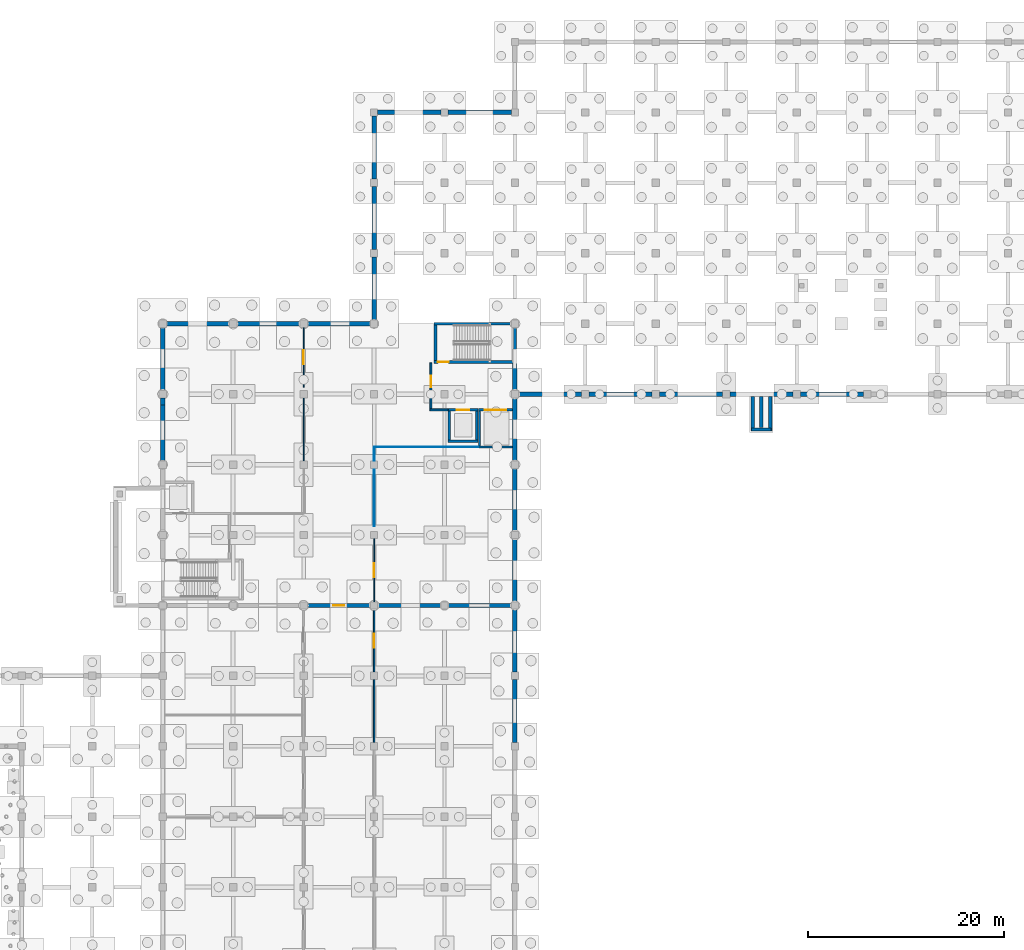
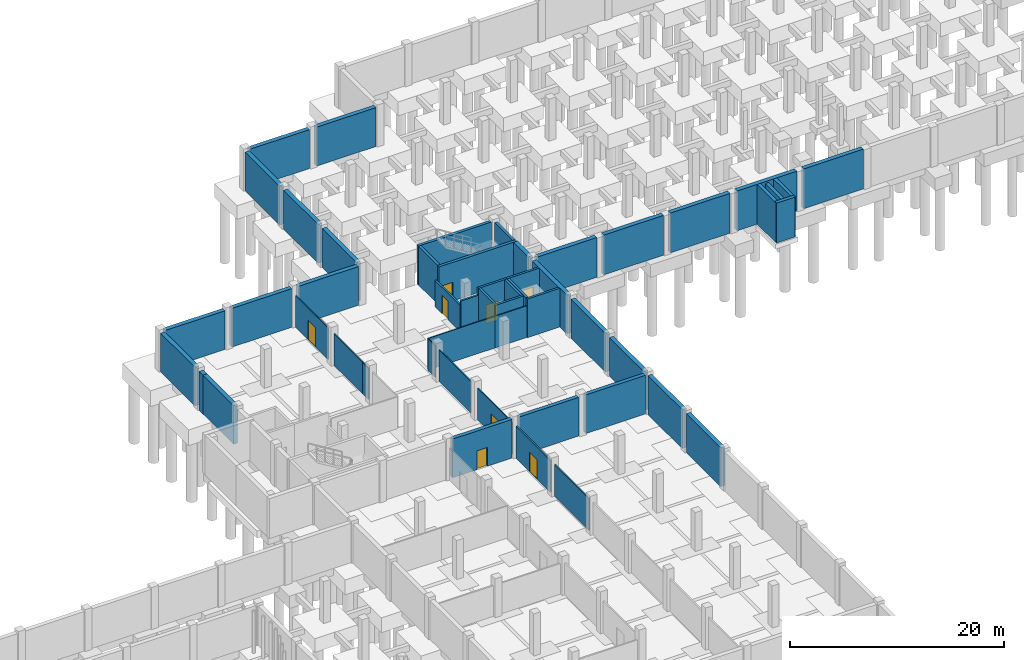
# One storey, part 28 of 35: 52 walls, 8 doors, 8 openings.
"""IFC4 building model written with IfcOpenShell, lengths in metres."""

from ifc_helpers import new_model, si_unit, direction, frame, frame_2d, origin, place, context, subcontext, project, spatial, rectangle, extrude, material, layer, layer_set, type_object, element, fill, save


model = new_model("IFC4")

# Units and contexts
model_context = context("Model", 3, precision=1e-05, world=origin(), true_north=direction((0.0, 1.0)))
body_context = subcontext(model_context, "Body", "Model", "MODEL_VIEW")
ifc_project = project(units=[si_unit("LENGTHUNIT", "METRE"), si_unit("AREAUNIT", "SQUARE_METRE"), si_unit("VOLUMEUNIT", "CUBIC_METRE"), si_unit("PLANEANGLEUNIT", "RADIAN"), si_unit("MASSUNIT", "GRAM", prefix="KILO"), si_unit("THERMODYNAMICTEMPERATUREUNIT", "KELVIN"), si_unit("POWERUNIT", "WATT")], contexts=[model_context])

# Site, building, storey
site_placement = place(None, origin())
site = spatial("IfcSite", under=ifc_project, at=site_placement, CompositionType="ELEMENT")
building_placement = place(site_placement, origin())
building = spatial("IfcBuilding", under=site, at=building_placement, Name="Kaldorven Railside Theatre", CompositionType="ELEMENT")
storey_placement = place(building_placement, frame((0.0, 0.0, -4.800048828125)))
storey = spatial("IfcBuildingStorey", under=building, at=storey_placement, Name="B1", CompositionType="ELEMENT", Elevation=-4.800048828125)

# Walls
ifc_material_1 = material(Name="Concrete C40/50", Category="concrete")
ifc_layer_1 = layer(ifc_material_1, 0.449951171875, Name="Concrete C40/50")
ifc_layer_set_1 = layer_set([ifc_layer_1], Name="Concrete C40/50")
wall_type_1 = type_object("IfcWallType", Name="WL-EW01", PredefinedType="SHEAR", material=ifc_layer_set_1)
wall_1_placement = place(storey_placement, frame((87.199951171875, 98.77490234375, 0.0), z_axis=(0.0, 0.0, 1.0), x_axis=(0.0, 1.0, 0.0)))
element("IfcWall", 1, at=wall_1_placement, inside=storey, type_object=wall_type_1, Name="Basement Plinth Retaining Wall EW-0026", PredefinedType="SHEAR", context=body_context, shape_type="SweptSolid", body=[
    extrude(rectangle(XDim=5.737548828125, YDim=0.449951171875, at=frame_2d((2.86865234375, 0.0))), origin(), (0.0, 0.0, 1.0), 4.420166015625),
])
wall_2_placement = place(storey_placement, frame((87.199951171875, 104.512451171875, 0.0), z_axis=(0.0, 0.0, 1.0), x_axis=(0.0, 1.0, 0.0)))
element("IfcWall", 2, at=wall_2_placement, inside=storey, type_object=wall_type_1, Name="Basement Plinth Retaining Wall EW-0027", PredefinedType="SHEAR", context=body_context, shape_type="SweptSolid", body=[
    extrude(rectangle(XDim=0.712646484375, YDim=0.449951171875, at=frame_2d((0.3564453125, 0.0))), origin(), (0.0, 0.0, 1.0), 4.420166015625),
])
for number, where, z_axis, x_axis, name in (
    (3, (87.199951171875, 105.97509765625, 0.0), (0.0, 0.0, 1.0), (0.0, 1.0, 0.0), "Basement Plinth Retaining Wall EW-0028"),
    (4, (87.574951171875, 112.800048828125, 0.0), (0.0, 0.0, 1.0), (1.0, 0.0, 0.0), "Basement Plinth Retaining Wall EW-0029"),
):
    element("IfcWall", number, at=place(storey_placement, frame(where, z_axis=z_axis, x_axis=x_axis)), inside=storey, type_object=wall_type_1, Name=name, PredefinedType="SHEAR", context=body_context, shape_type="SweptSolid", body=[
        extrude(rectangle(XDim=6.449951171875, YDim=0.449951171875, at=frame_2d((3.22509765625, 0.0))), origin(), (0.0, 0.0, 1.0), 4.420166015625),
    ])
wall_3_placement = place(storey_placement, frame((94.77490234375, 112.800048828125, 0.0), z_axis=(0.0, 0.0, 1.0), x_axis=(1.0, 0.0, 0.0)))
element("IfcWall", 5, at=wall_3_placement, inside=storey, type_object=wall_type_1, Name="Basement Plinth Retaining Wall EW-0030", PredefinedType="SHEAR", context=body_context, shape_type="SweptSolid", body=[
    extrude(rectangle(XDim=6.4501953125, YDim=0.449951171875, at=frame_2d((3.22509765625, 0.0))), origin(), (0.0, 0.0, 1.0), 4.420166015625),
])
wall_4_placement = place(storey_placement, frame((101.97509765625, 112.800048828125, 0.0), z_axis=(0.0, 0.0, 1.0), x_axis=(1.0, 0.0, 0.0)))
element("IfcWall", 6, at=wall_4_placement, inside=storey, type_object=wall_type_1, Name="Basement Plinth Retaining Wall EW-0031", PredefinedType="SHEAR", context=body_context, shape_type="SweptSolid", body=[
    extrude(rectangle(XDim=6.449951171875, YDim=0.449951171875, at=frame_2d((3.22509765625, 0.0))), origin(), (0.0, 0.0, 1.0), 4.420166015625),
])
for number, where, z_axis, x_axis, name in (
    (7, (108.800048828125, 113.175048828125, 0.0), (0.0, 0.0, 1.0), (0.0, 1.0, 0.0), "Basement Plinth Retaining Wall EW-0032"),
    (8, (108.800048828125, 120.375, 0.0), (0.0, 0.0, 1.0), (0.0, 1.0, 0.0), "Basement Plinth Retaining Wall EW-0033"),
    (9, (108.800048828125, 127.574951171875, 0.0), (0.0, 0.0, 1.0), (0.0, 1.0, 0.0), "Basement Plinth Retaining Wall EW-0034"),
    (10, (109.175048828125, 134.39990234375, 0.0), (0.0, 0.0, 1.0), (1.0, 0.0, 0.0), "Basement Plinth Retaining Wall EW-0035"),
    (11, (116.375, 134.39990234375, 0.0), (0.0, 0.0, 1.0), (1.0, 0.0, 0.0), "Basement Plinth Retaining Wall EW-0036"),
):
    element("IfcWall", number, at=place(storey_placement, frame(where, z_axis=z_axis, x_axis=x_axis)), inside=storey, type_object=wall_type_1, Name=name, PredefinedType="SHEAR", context=body_context, shape_type="SweptSolid", body=[
        extrude(rectangle(XDim=6.449951171875, YDim=0.449951171875, at=frame_2d((3.22509765625, 0.0))), origin(), (0.0, 0.0, 1.0), 4.449951171875),
    ])
for number, where, z_axis, x_axis, name in (
    (12, (158.824951171875, 105.60009765625, 0.0), (0.0, 0.0, 1.0), (-1.0, 0.0, 0.0), "Basement Plinth Retaining Wall EW-0056"),
    (13, (151.625, 105.60009765625, 0.0), (0.0, 0.0, 1.0), (-1.0, 0.0, 0.0), "Basement Plinth Retaining Wall EW-0057"),
    (14, (144.425048828125, 105.60009765625, 0.0), (0.0, 0.0, 1.0), (-1.0, 0.0, 0.0), "Basement Plinth Retaining Wall EW-0058"),
):
    element("IfcWall", number, at=place(storey_placement, frame(where, z_axis=z_axis, x_axis=x_axis)), inside=storey, type_object=wall_type_1, Name=name, PredefinedType="SHEAR", context=body_context, shape_type="SweptSolid", body=[
        extrude(rectangle(XDim=6.449951171875, YDim=0.449951171875, at=frame_2d((3.22509765625, 0.0))), origin(), (0.0, 0.0, 1.0), 4.550048828125),
    ])
wall_5_placement = place(storey_placement, frame((137.22509765625, 105.60009765625, 0.0), z_axis=(0.0, 0.0, 1.0), x_axis=(-1.0, 0.0, 0.0)))
element("IfcWall", 15, at=wall_5_placement, inside=storey, type_object=wall_type_1, Name="Basement Plinth Retaining Wall EW-0059", PredefinedType="SHEAR", context=body_context, shape_type="SweptSolid", body=[
    extrude(rectangle(XDim=6.4501953125, YDim=0.449951171875, at=frame_2d((3.22509765625, 0.0))), origin(), (0.0, 0.0, 1.0), 4.550048828125),
])
wall_6_placement = place(storey_placement, frame((130.02490234375, 105.60009765625, 0.0), z_axis=(0.0, 0.0, 1.0), x_axis=(-1.0, 0.0, 0.0)))
element("IfcWall", 16, at=wall_6_placement, inside=storey, type_object=wall_type_1, Name="Basement Plinth Retaining Wall EW-0060", PredefinedType="SHEAR", context=body_context, shape_type="SweptSolid", body=[
    extrude(rectangle(XDim=6.449951171875, YDim=0.449951171875, at=frame_2d((3.22509765625, 0.0))), origin(), (0.0, 0.0, 1.0), 4.550048828125),
])
wall_7_placement = place(storey_placement, frame((123.199951171875, 105.22509765625, 0.0), z_axis=(0.0, 0.0, 1.0), x_axis=(0.0, -1.0, 0.0)))
element("IfcWall", 17, at=wall_7_placement, inside=storey, type_object=wall_type_1, Name="Basement Plinth Retaining Wall EW-0061", PredefinedType="SHEAR", context=body_context, shape_type="SweptSolid", body=[
    extrude(rectangle(XDim=6.4501953125, YDim=0.449951171875, at=frame_2d((3.22509765625, 0.0))), origin(), (0.0, 0.0, 1.0), 4.420166015625),
])
for number, where, z_axis, x_axis, name in (
    (18, (123.199951171875, 98.02490234375, 0.0), (0.0, 0.0, 1.0), (0.0, -1.0, 0.0), "Basement Plinth Retaining Wall EW-0062"),
    (19, (123.199951171875, 90.824951171875, 0.0), (0.0, 0.0, 1.0), (0.0, -1.0, 0.0), "Basement Plinth Retaining Wall EW-0063"),
):
    element("IfcWall", number, at=place(storey_placement, frame(where, z_axis=z_axis, x_axis=x_axis)), inside=storey, type_object=wall_type_1, Name=name, PredefinedType="SHEAR", context=body_context, shape_type="SweptSolid", body=[
        extrude(rectangle(XDim=6.449951171875, YDim=0.449951171875, at=frame_2d((3.22509765625, 0.0))), origin(), (0.0, 0.0, 1.0), 4.420166015625),
    ])
for number, where, z_axis, x_axis, name in (
    (20, (123.199951171875, 83.625, 0.0), (0.0, 0.0, 1.0), (0.0, -1.0, 0.0), "Basement Plinth Retaining Wall EW-0064"),
    (21, (123.199951171875, 76.425048828125, 0.0), (0.0, 0.0, 1.0), (0.0, -1.0, 0.0), "Basement Plinth Retaining Wall EW-0065"),
):
    element("IfcWall", number, at=place(storey_placement, frame(where, z_axis=z_axis, x_axis=x_axis)), inside=storey, type_object=wall_type_1, Name=name, PredefinedType="SHEAR", context=body_context, shape_type="SweptSolid", body=[
        extrude(rectangle(XDim=6.449951171875, YDim=0.449951171875, at=frame_2d((3.22509765625, 0.0))), origin(), (0.0, 0.0, 1.0), 4.449951171875),
    ])
wall_8_placement = place(storey_placement, frame((123.199951171875, 108.75, 0.0), z_axis=(0.0, 0.0, 1.0), x_axis=(0.0, -1.0, 0.0)))
element("IfcWall", 22, at=wall_8_placement, inside=storey, type_object=wall_type_1, Name="Basement Compartment Retaining Wall EW-0123", PredefinedType="SHEAR", context=body_context, shape_type="SweptSolid", body=[
    extrude(rectangle(XDim=2.77490234375, YDim=0.449951171875, at=frame_2d((1.387451171875, 0.0))), origin(), (0.0, 0.0, 1.0), 4.420166015625),
])
ifc_material_2 = material(Name="Precast concrete C40/50", Category="concrete")
ifc_layer_2 = layer(ifc_material_2, 0.35009765625, Name="Precast concrete C40/50")
ifc_layer_set_2 = layer_set([ifc_layer_2], Name="Precast concrete C40/50")
wall_type_2 = type_object("IfcWallType", Name="WL-EW03", PredefinedType="SOLIDWALL", material=ifc_layer_set_2)
for number, where, z_axis, x_axis, name in (
    (23, (147.52001953125, 101.860107421875, 0.0), (0.0, 0.0, 1.0), (0.0, 1.0, 0.0), "Arrival Ramp RMP-06 Plinth Cheek Wall"),
    (24, (149.280029296875, 101.860107421875, 0.0), (0.0, 0.0, 1.0), (0.0, 1.0, 0.0), "Arrival Ramp RMP-06 Plinth Cheek Wall"),
):
    element("IfcWall", number, at=place(storey_placement, frame(where, z_axis=z_axis, x_axis=x_axis)), inside=storey, type_object=wall_type_2, Name=name, PredefinedType="SOLIDWALL", context=body_context, shape_type="SweptSolid", body=[
        extrude(rectangle(XDim=3.510009765625, YDim=0.35009765625, at=frame_2d((1.7548828125, 0.0))), origin(), (0.0, 0.0, 1.0), 4.550048828125),
    ])
wall_9_placement = place(storey_placement, frame((147.39990234375, 101.985107421875, 0.0), z_axis=(0.0, 0.0, 1.0), x_axis=(1.0, 0.0, 0.0)))
element("IfcWall", 25, at=wall_9_placement, inside=storey, type_object=wall_type_2, Name="Arrival Ramp RMP-06 Plinth Cheek Wall", PredefinedType="SOLIDWALL", context=body_context, shape_type="SweptSolid", body=[
    extrude(rectangle(XDim=2.0, YDim=0.35009765625, at=frame_2d((1.0, 0.0))), origin(), (0.0, 0.0, 1.0), 4.550048828125),
])
wall_10_placement = place(storey_placement, frame((148.39990234375, 102.179931640625, 0.0), z_axis=(0.0, 0.0, 1.0), x_axis=(0.0, 1.0, 0.0)))
element("IfcWall", 26, at=wall_10_placement, inside=storey, type_object=wall_type_2, Name="Arrival Ramp RMP-06 Plinth Cheek Wall", PredefinedType="SOLIDWALL", context=body_context, shape_type="SweptSolid", body=[
    extrude(rectangle(XDim=3.190185546875, YDim=0.35009765625, at=frame_2d((1.59521484375, 0.0))), origin(), (0.0, 0.0, 1.0), 4.340087890625),
])

# Wall, opening, door
ifc_material_3 = material(Name="Acoustic gypsum board")
ifc_layer_3 = layer(ifc_material_3, 0.14990234375, Name="Acoustic gypsum board")
ifc_layer_set_3 = layer_set([ifc_layer_3], Name="Acoustic gypsum board")
wall_type_3 = type_object("IfcWallType", Name="WL-IW-AC1", PredefinedType="PARTITIONING", material=ifc_layer_set_3)
wall_11_placement = place(storey_placement, frame((108.800048828125, 83.625, 0.0), z_axis=(0.0, 0.0, 1.0), x_axis=(0.0, -1.0, 0.0)))
wall_11 = element("IfcWall", 27, at=wall_11_placement, inside=storey, type_object=wall_type_3, Name="B1 Interior Wall IW-0419", PredefinedType="PARTITIONING", context=body_context, shape_type="SweptSolid", body=[
    extrude(rectangle(XDim=6.449951171875, YDim=0.14990234375, at=frame_2d((3.22509765625, 0.0))), origin(), (0.0, 0.0, 1.0), 3.64501953125),
])
opening_1_placement = place(wall_11_placement, frame((2.52490234375, 0.0, 0.0)))
opening_1 = element("IfcOpeningElement", 28, at=opening_1_placement, cuts=wall_11, Name="Opening ID-0095", PredefinedType="OPENING", context=body_context, shape_type="SweptSolid", body=[
    extrude(rectangle(XDim=1.39990234375, YDim=2.199951171875, at=frame_2d((0.699951171875, 1.10009765625))), frame((0.0, 0.0849609375, 0.0), z_axis=(0.0, -1.0, 0.0), x_axis=(1.0, 0.0, 0.0)), (0.0, 0.0, 1.0), 0.169921875),
])
ifc_material_4 = material(Name="Powder-coated hollow-metal steel", Category="steel")
door_type_1 = type_object("IfcDoorType", Name="DR-ID-PLT1", OperationType="NOTDEFINED", PredefinedType="DOOR", material=ifc_material_4)
door_1_placement = place(opening_1_placement, origin())
door_1 = element("IfcDoor", 29, at=door_1_placement, inside=storey, type_object=door_type_1, Name="Chiller Plant Entry Door", OperationType="SINGLE_SWING_RIGHT", OverallHeight=2.199951171875, OverallWidth=1.39990234375, PredefinedType="DOOR", context=body_context, shape_type="SweptSolid", body=[
    extrude(rectangle(XDim=1.39990234375, YDim=2.199951171875, at=frame_2d((0.699951171875, 1.10009765625))), frame((0.0, 0.02490234375, 0.0), z_axis=(0.0, -1.0, 0.0), x_axis=(1.0, 0.0, 0.0)), (0.0, 0.0, 1.0), 0.050048828125),
])
fill(opening_1, door_1)

# Wall
wall_12_placement = place(storey_placement, frame((108.800048828125, 76.425048828125, 0.0), z_axis=(0.0, 0.0, 1.0), x_axis=(0.0, -1.0, 0.0)))
element("IfcWall", 30, at=wall_12_placement, inside=storey, type_object=wall_type_3, Name="B1 Interior Wall IW-0420", PredefinedType="PARTITIONING", context=body_context, shape_type="SweptSolid", body=[
    extrude(rectangle(XDim=6.449951171875, YDim=0.14990234375, at=frame_2d((3.22509765625, 0.0))), origin(), (0.0, 0.0, 1.0), 3.64501953125),
])

# Wall, opening, door
ifc_layer_4 = layer(ifc_material_1, 0.300048828125, Name="Concrete C40/50")
ifc_layer_set_4 = layer_set([ifc_layer_4], Name="Concrete C40/50")
wall_type_4 = type_object("IfcWallType", Name="WL-IW-CORE", PredefinedType="SHEAR", material=ifc_layer_set_4)
wall_13_placement = place(storey_placement, frame((123.35009765625, 108.89990234375, 0.0), z_axis=(0.0, 0.0, 1.0), x_axis=(-1.0, 0.0, 0.0)))
wall_13 = element("IfcWall", 31, at=wall_13_placement, inside=storey, type_object=wall_type_4, Name="B1 Core Wall CW-0197", PredefinedType="SHEAR", context=body_context, shape_type="SweptSolid", body=[
    extrude(rectangle(XDim=8.400146484375, YDim=0.300048828125, at=frame_2d((4.2001953125, 0.0))), origin(), (0.0, 0.0, 1.0), 4.420166015625),
])
opening_2_placement = place(wall_13_placement, frame((6.929931640625, 0.0, 0.0)))
opening_2 = element("IfcOpeningElement", 32, at=opening_2_placement, cuts=wall_13, Name="Opening ID-0032", PredefinedType="OPENING", context=body_context, shape_type="SweptSolid", body=[
    extrude(rectangle(XDim=1.10009765625, YDim=2.14990234375, at=frame_2d((0.550048828125, 1.074951171875))), frame((0.0, 0.16015625, 0.0), z_axis=(0.0, -1.0, 0.0), x_axis=(1.0, 0.0, 0.0)), (0.0, 0.0, 1.0), 0.320068359375),
])
ifc_material_5 = material(Name="Acoustic hardwood timber", Category="wood")
door_type_2 = type_object("IfcDoorType", Name="DR-ID-FD60", OperationType="NOTDEFINED", PredefinedType="DOOR", material=ifc_material_5)
door_2_placement = place(opening_2_placement, origin())
door_2 = element("IfcDoor", 33, at=door_2_placement, inside=storey, type_object=door_type_2, Name="Stair ST-06 Fire Door", OperationType="SINGLE_SWING_RIGHT", OverallHeight=2.14990234375, OverallWidth=1.10009765625, PredefinedType="DOOR", context=body_context, shape_type="SweptSolid", body=[
    extrude(rectangle(XDim=1.10009765625, YDim=2.14990234375, at=frame_2d((0.550048828125, 1.074951171875))), frame((0.0, 0.02490234375, 0.0), z_axis=(0.0, -1.0, 0.0), x_axis=(1.0, 0.0, 0.0)), (0.0, 0.0, 1.0), 0.050048828125),
])
fill(opening_2, door_2)

# Walls
wall_14_placement = place(storey_placement, frame((115.10009765625, 109.052001953125, 0.0), z_axis=(0.0, 0.0, 1.0), x_axis=(0.0, 1.0, 0.0)))
element("IfcWall", 34, at=wall_14_placement, inside=storey, type_object=wall_type_4, Name="B1 Core Wall CW-0198", PredefinedType="SHEAR", context=body_context, shape_type="SweptSolid", body=[
    extrude(rectangle(XDim=3.597900390625, YDim=0.300048828125, at=frame_2d((1.798828125, 0.0))), origin(), (0.0, 0.0, 1.0), 4.420166015625),
])
wall_15_placement = place(storey_placement, frame((114.949951171875, 112.800048828125, 0.0), z_axis=(0.0, 0.0, 1.0), x_axis=(1.0, 0.0, 0.0)))
element("IfcWall", 35, at=wall_15_placement, inside=storey, type_object=wall_type_4, Name="B1 Core Wall CW-0199", PredefinedType="SHEAR", context=body_context, shape_type="SweptSolid", body=[
    extrude(rectangle(XDim=7.875, YDim=0.300048828125, at=frame_2d((3.9375, 0.0))), origin(), (0.0, 0.0, 1.0), 4.420166015625),
])
wall_16_placement = place(storey_placement, frame((123.199951171875, 112.425048828125, 0.0), z_axis=(0.0, 0.0, 1.0), x_axis=(0.0, -1.0, 0.0)))
element("IfcWall", 36, at=wall_16_placement, inside=storey, type_object=wall_type_4, Name="B1 Core Wall CW-0200", PredefinedType="SHEAR", context=body_context, shape_type="SweptSolid", body=[
    extrude(rectangle(XDim=3.373046875, YDim=0.300048828125, at=frame_2d((1.6865234375, 0.0))), origin(), (0.0, 0.0, 1.0), 4.420166015625),
])
ifc_material_6 = material(Name="Concrete C35/45", Category="concrete")
ifc_layer_5 = layer(ifc_material_6, 0.199951171875, Name="Concrete C35/45")
ifc_layer_set_5 = layer_set([ifc_layer_5], Name="Concrete C35/45")
wall_type_5 = type_object("IfcWallType", Name="WL-IW-FF", PredefinedType="PARTITIONING", material=ifc_layer_set_5)
wall_17_placement = place(storey_placement, frame((116.3798828125, 104.0, 0.0), z_axis=(0.0, 0.0, 1.0), x_axis=(-1.0, 0.0, 0.0)))
element("IfcWall", 37, at=wall_17_placement, inside=storey, type_object=wall_type_5, Name="B1 Interior Wall FFW-0275", PredefinedType="PARTITIONING", context=body_context, shape_type="SweptSolid", body=[
    extrude(rectangle(XDim=1.8798828125, YDim=0.199951171875, at=frame_2d((0.93994140625, 0.0))), origin(), (0.0, 0.0, 1.0), 3.614990234375),
])

# Wall, opening, door
wall_18_placement = place(storey_placement, frame((114.60009765625, 104.10205078125, 0.0), z_axis=(0.0, 0.0, 1.0), x_axis=(0.0, 1.0, 0.0)))
wall_18 = element("IfcWall", 38, at=wall_18_placement, inside=storey, type_object=wall_type_5, Name="B1 Interior Wall FFW-0276", PredefinedType="PARTITIONING", context=body_context, shape_type="SweptSolid", body=[
    extrude(rectangle(XDim=4.697998046875, YDim=0.199951171875, at=frame_2d((2.34912109375, 0.0))), origin(), (0.0, 0.0, 1.0), 3.01513671875),
])
opening_3_placement = place(wall_18_placement, frame((2.22412109375, 0.0, 0.0)))
opening_3 = element("IfcOpeningElement", 39, at=opening_3_placement, cuts=wall_18, Name="Opening ID-0039", PredefinedType="OPENING", context=body_context, shape_type="SweptSolid", body=[
    extrude(rectangle(XDim=1.14990234375, YDim=2.14990234375, at=frame_2d((0.574951171875, 1.074951171875))), frame((0.0, 0.10986328125, 0.0), z_axis=(0.0, -1.0, 0.0), x_axis=(1.0, 0.0, 0.0)), (0.0, 0.0, 1.0), 0.219970703125),
])
door_type_3 = type_object("IfcDoorType", Name="DR-ID-FD120", OperationType="NOTDEFINED", PredefinedType="DOOR", material=ifc_material_4)
door_3_placement = place(opening_3_placement, origin())
door_3 = element("IfcDoor", 40, at=door_3_placement, inside=storey, type_object=door_type_3, Name="Firefighting Lobby C-STE Door", OperationType="SINGLE_SWING_LEFT", OverallHeight=2.14990234375, OverallWidth=1.14990234375, PredefinedType="DOOR", context=body_context, shape_type="SweptSolid", body=[
    extrude(rectangle(XDim=1.14990234375, YDim=2.14990234375, at=frame_2d((0.574951171875, 1.074951171875))), frame((0.0, 0.02490234375, 0.0), z_axis=(0.0, -1.0, 0.0), x_axis=(1.0, 0.0, 0.0)), (0.0, 0.0, 1.0), 0.050048828125),
])
fill(opening_3, door_3)

ifc_layer_6 = layer(ifc_material_1, 0.39990234375, Name="Concrete C40/50")
ifc_layer_set_6 = layer_set([ifc_layer_6], Name="Concrete C40/50")
wall_type_6 = type_object("IfcWallType", Name="WL-IW-PROSC", PredefinedType="SHEAR", material=ifc_layer_set_6)
wall_19_placement = place(storey_placement, frame((101.97509765625, 84.0, 0.0), z_axis=(0.0, 0.0, 1.0), x_axis=(1.0, 0.0, 0.0)))
wall_19 = element("IfcWall", 41, at=wall_19_placement, inside=storey, type_object=wall_type_6, Name="B1 Interior Wall PW-0327", PredefinedType="SHEAR", context=body_context, shape_type="SweptSolid", body=[
    extrude(rectangle(XDim=6.449951171875, YDim=0.39990234375, at=frame_2d((3.22509765625, 0.0))), origin(), (0.0, 0.0, 1.0), 4.420166015625),
])
opening_4_placement = place(wall_19_placement, frame((2.64990234375, 0.0, 0.0)))
opening_4 = element("IfcOpeningElement", 42, at=opening_4_placement, cuts=wall_19, Name="Opening ID-0055", PredefinedType="OPENING", context=body_context, shape_type="SweptSolid", body=[
    extrude(rectangle(XDim=1.14990234375, YDim=2.14990234375, at=frame_2d((0.574951171875, 1.074951171875))), frame((0.0, 0.2099609375, 0.0), z_axis=(0.0, -1.0, 0.0), x_axis=(1.0, 0.0, 0.0)), (0.0, 0.0, 1.0), 0.419921875),
])
door_4_placement = place(opening_4_placement, origin())
door_4 = element("IfcDoor", 43, at=door_4_placement, inside=storey, type_object=door_type_3, Name="B1 Substage-to-Trap Fire Door", OperationType="SINGLE_SWING_LEFT", OverallHeight=2.14990234375, OverallWidth=1.14990234375, PredefinedType="DOOR", context=body_context, shape_type="SweptSolid", body=[
    extrude(rectangle(XDim=1.14990234375, YDim=2.14990234375, at=frame_2d((0.574951171875, 1.074951171875))), frame((0.0, 0.02490234375, 0.0), z_axis=(0.0, -1.0, 0.0), x_axis=(1.0, 0.0, 0.0)), (0.0, 0.0, 1.0), 0.050048828125),
])
fill(opening_4, door_4)

# Walls
for number, where, z_axis, x_axis, name in (
    (44, (109.175048828125, 84.0, 0.0), (0.0, 0.0, 1.0), (1.0, 0.0, 0.0), "B1 Interior Wall PW-0328"),
    (45, (116.375, 84.0, 0.0), (0.0, 0.0, 1.0), (1.0, 0.0, 0.0), "B1 Interior Wall PW-0329"),
):
    element("IfcWall", number, at=place(storey_placement, frame(where, z_axis=z_axis, x_axis=x_axis)), inside=storey, type_object=wall_type_6, Name=name, PredefinedType="SHEAR", context=body_context, shape_type="SweptSolid", body=[
        extrude(rectangle(XDim=6.449951171875, YDim=0.39990234375, at=frame_2d((3.22509765625, 0.0))), origin(), (0.0, 0.0, 1.0), 4.420166015625),
    ])
ifc_material_7 = material(Name="Fire-rated acoustic gypsum board")
ifc_layer_7 = layer(ifc_material_7, 0.1201171875, Name="Fire-rated acoustic gypsum board")
ifc_layer_set_7 = layer_set([ifc_layer_7], Name="Fire-rated acoustic gypsum board")
wall_type_7 = type_object("IfcWallType", Name="WL-IW-PT1", PredefinedType="PARTITIONING", material=ifc_layer_set_7)
wall_20_placement = place(storey_placement, frame((101.60009765625, 98.77490234375, 0.0), z_axis=(0.0, 0.0, 1.0), x_axis=(0.0, 1.0, 0.0)))
element("IfcWall", 46, at=wall_20_placement, inside=storey, type_object=wall_type_7, Name="B1 Interior Wall IW-0402", PredefinedType="PARTITIONING", context=body_context, shape_type="SweptSolid", body=[
    extrude(rectangle(XDim=1.091796875, YDim=0.1201171875, at=frame_2d((0.5458984375, 0.0))), origin(), (0.0, 0.0, 1.0), 3.614990234375),
])
wall_21_placement = place(storey_placement, frame((101.60009765625, 99.86669921875, 0.0), z_axis=(0.0, 0.0, 1.0), x_axis=(0.0, 1.0, 0.0)))
element("IfcWall", 47, at=wall_21_placement, inside=storey, type_object=wall_type_7, Name="B1 Interior Wall IW-0403", PredefinedType="PARTITIONING", context=body_context, shape_type="SweptSolid", body=[
    extrude(rectangle(XDim=5.3583984375, YDim=0.1201171875, at=frame_2d((2.67919921875, 0.0))), origin(), (0.0, 0.0, 1.0), 3.614990234375),
])

# Wall, opening, door
wall_22_placement = place(storey_placement, frame((101.60009765625, 106.333251953125, 0.0), z_axis=(0.0, 0.0, 1.0), x_axis=(0.0, 1.0, 0.0)))
wall_22 = element("IfcWall", 48, at=wall_22_placement, inside=storey, type_object=wall_type_7, Name="B1 Interior Wall IW-0404", PredefinedType="PARTITIONING", context=body_context, shape_type="SweptSolid", body=[
    extrude(rectangle(XDim=6.091796875, YDim=0.1201171875, at=frame_2d((3.0458984375, 0.0))), origin(), (0.0, 0.0, 1.0), 3.614990234375),
])
opening_5_placement = place(wall_22_placement, frame((2.345947265625, 0.0, 0.0)))
opening_5 = element("IfcOpeningElement", 49, at=opening_5_placement, cuts=wall_22, Name="Opening ID-0091", PredefinedType="OPENING", context=body_context, shape_type="SweptSolid", body=[
    extrude(rectangle(XDim=1.39990234375, YDim=2.199951171875, at=frame_2d((0.699951171875, 1.10009765625))), frame((0.0, 0.070068359375, 0.0), z_axis=(0.0, -1.0, 0.0), x_axis=(1.0, 0.0, 0.0)), (0.0, 0.0, 1.0), 0.14013671875),
])
door_5_placement = place(opening_5_placement, origin())
door_5 = element("IfcDoor", 50, at=door_5_placement, inside=storey, type_object=door_type_1, Name="Understage Trap Room Entry Door", OperationType="SINGLE_SWING_RIGHT", OverallHeight=2.199951171875, OverallWidth=1.39990234375, PredefinedType="DOOR", context=body_context, shape_type="SweptSolid", body=[
    extrude(rectangle(XDim=1.39990234375, YDim=2.199951171875, at=frame_2d((0.699951171875, 1.10009765625))), frame((0.0, 0.02490234375, 0.0), z_axis=(0.0, -1.0, 0.0), x_axis=(1.0, 0.0, 0.0)), (0.0, 0.0, 1.0), 0.050048828125),
])
fill(opening_5, door_5)

# Walls
ifc_layer_8 = layer(ifc_material_7, 0.10009765625, Name="Fire-rated acoustic gypsum board")
ifc_layer_set_8 = layer_set([ifc_layer_8], Name="Fire-rated acoustic gypsum board")
wall_type_8 = type_object("IfcWallType", Name="WL-IW-PT2", PredefinedType="PARTITIONING", material=ifc_layer_set_8)
wall_23_placement = place(storey_placement, frame((119.4599609375, 100.199951171875, 0.0), z_axis=(0.0, 0.0, 1.0), x_axis=(-1.0, 0.0, 0.0)))
element("IfcWall", 51, at=wall_23_placement, inside=storey, type_object=wall_type_8, Name="B1 Interior Wall IW-0406", PredefinedType="PARTITIONING", context=body_context, shape_type="SweptSolid", body=[
    extrude(rectangle(XDim=3.4599609375, YDim=0.10009765625, at=frame_2d((1.72998046875, 0.0))), origin(), (0.0, 0.0, 1.0), 3.614990234375),
])
wall_24_placement = place(storey_placement, frame((116.0, 100.199951171875, 0.0), z_axis=(0.0, 0.0, 1.0), x_axis=(-1.0, 0.0, 0.0)))
element("IfcWall", 52, at=wall_24_placement, inside=storey, type_object=wall_type_8, Name="B1 Interior Wall IW-0407", PredefinedType="PARTITIONING", context=body_context, shape_type="SweptSolid", body=[
    extrude(rectangle(XDim=7.199951171875, YDim=0.10009765625, at=frame_2d((3.60009765625, 0.0))), origin(), (0.0, 0.0, 1.0), 3.614990234375),
])
wall_25_placement = place(storey_placement, frame((108.800048828125, 98.02490234375, 0.0), z_axis=(0.0, 0.0, 1.0), x_axis=(0.0, -1.0, 0.0)))
element("IfcWall", 53, at=wall_25_placement, inside=storey, type_object=wall_type_8, Name="B1 Interior Wall IW-0408", PredefinedType="PARTITIONING", context=body_context, shape_type="SweptSolid", body=[
    extrude(rectangle(XDim=5.9248046875, YDim=0.10009765625, at=frame_2d((2.96240234375, 0.0))), origin(), (0.0, 0.0, 1.0), 3.614990234375),
])
wall_26_placement = place(storey_placement, frame((108.800048828125, 100.14794921875, 0.0), z_axis=(0.0, 0.0, 1.0), x_axis=(0.0, -1.0, 0.0)))
element("IfcWall", 54, at=wall_26_placement, inside=storey, type_object=wall_type_8, Name="B1 Interior Wall IW-0409", PredefinedType="PARTITIONING", context=body_context, shape_type="SweptSolid", body=[
    extrude(rectangle(XDim=1.373046875, YDim=0.10009765625, at=frame_2d((0.6865234375, 0.0))), origin(), (0.0, 0.0, 1.0), 3.614990234375),
])

# Wall, opening, door
wall_27_placement = place(storey_placement, frame((108.800048828125, 90.824951171875, 0.0), z_axis=(0.0, 0.0, 1.0), x_axis=(0.0, -1.0, 0.0)))
wall_27 = element("IfcWall", 55, at=wall_27_placement, inside=storey, type_object=wall_type_8, Name="B1 Interior Wall IW-0410", PredefinedType="PARTITIONING", context=body_context, shape_type="SweptSolid", body=[
    extrude(rectangle(XDim=6.449951171875, YDim=0.10009765625, at=frame_2d((3.22509765625, 0.0))), origin(), (0.0, 0.0, 1.0), 3.614990234375),
])
opening_6_placement = place(wall_27_placement, frame((2.52490234375, 0.0, 0.0)))
opening_6 = element("IfcOpeningElement", 56, at=opening_6_placement, cuts=wall_27, Name="Opening ID-0092", PredefinedType="OPENING", context=body_context, shape_type="SweptSolid", body=[
    extrude(rectangle(XDim=1.39990234375, YDim=2.199951171875, at=frame_2d((0.699951171875, 1.10009765625))), frame((0.0, 0.06005859375, 0.0), z_axis=(0.0, -1.0, 0.0), x_axis=(1.0, 0.0, 0.0)), (0.0, 0.0, 1.0), 0.1201171875),
])
door_6_placement = place(opening_6_placement, origin())
door_6 = element("IfcDoor", 57, at=door_6_placement, inside=storey, type_object=door_type_1, Name="Understage Trap East Entry Door", OperationType="SINGLE_SWING_LEFT", OverallHeight=2.199951171875, OverallWidth=1.39990234375, PredefinedType="DOOR", context=body_context, shape_type="SweptSolid", body=[
    extrude(rectangle(XDim=1.39990234375, YDim=2.199951171875, at=frame_2d((0.699951171875, 1.10009765625))), frame((0.0, 0.02490234375, 0.0), z_axis=(0.0, -1.0, 0.0), x_axis=(1.0, 0.0, 0.0)), (0.0, 0.0, 1.0), 0.050048828125),
])
fill(opening_6, door_6)

# Walls
ifc_layer_9 = layer(ifc_material_1, 0.239990234375, Name="Concrete C40/50")
ifc_layer_set_9 = layer_set([ifc_layer_9], Name="Concrete C40/50")
wall_type_9 = type_object("IfcWallType", Name="WL-IW-SHAFT", PredefinedType="SHEAR", material=ifc_layer_set_9)
wall_28_placement = place(storey_placement, frame((119.419921875, 100.800048828125, 0.0), z_axis=(0.0, 0.0, 1.0), x_axis=(-1.0, 0.0, 0.0)))
element("IfcWall", 58, at=wall_28_placement, inside=storey, type_object=wall_type_9, Name="B1 Interior Wall SW-0225", PredefinedType="SHEAR", context=body_context, shape_type="SweptSolid", body=[
    extrude(rectangle(XDim=3.0400390625, YDim=0.239990234375, at=frame_2d((1.52001953125, 0.0))), origin(), (0.0, 0.0, 1.0), 4.420166015625),
])
wall_29_placement = place(storey_placement, frame((116.5, 100.922119140625, 0.0), z_axis=(0.0, 0.0, 1.0), x_axis=(0.0, 1.0, 0.0)))
element("IfcWall", 59, at=wall_29_placement, inside=storey, type_object=wall_type_9, Name="B1 Interior Wall SW-0226", PredefinedType="SHEAR", context=body_context, shape_type="SweptSolid", body=[
    extrude(rectangle(XDim=2.957763671875, YDim=0.239990234375, at=frame_2d((1.47900390625, 0.0))), origin(), (0.0, 0.0, 1.0), 4.420166015625),
])

# Wall, opening, door
wall_30_placement = place(storey_placement, frame((116.3798828125, 104.0, 0.0), z_axis=(0.0, 0.0, 1.0), x_axis=(1.0, 0.0, 0.0)))
wall_30 = element("IfcWall", 60, at=wall_30_placement, inside=storey, type_object=wall_type_9, Name="B1 Interior Wall SW-0227", PredefinedType="SHEAR", context=body_context, shape_type="SweptSolid", body=[
    extrude(rectangle(XDim=3.0400390625, YDim=0.239990234375, at=frame_2d((1.52001953125, 0.0))), origin(), (0.0, 0.0, 1.0), 4.420166015625),
])
opening_7_placement = place(wall_30_placement, frame((0.8701171875, 0.0, 0.0)))
opening_7 = element("IfcOpeningElement", 61, at=opening_7_placement, cuts=wall_30, Name="Opening LD-023", PredefinedType="OPENING", context=body_context, shape_type="SweptSolid", body=[
    extrude(rectangle(XDim=1.300048828125, YDim=2.14990234375, at=frame_2d((0.64990234375, 1.074951171875))), frame((0.0, 0.1298828125, 0.0), z_axis=(0.0, -1.0, 0.0), x_axis=(1.0, 0.0, 0.0)), (0.0, 0.0, 1.0), 0.260009765625),
])
door_type_4 = type_object("IfcDoorType", Name="DR-LD-FF", OperationType="NOTDEFINED", PredefinedType="DOOR", material=ifc_material_4)
door_7_placement = place(opening_7_placement, origin())
door_7 = element("IfcDoor", 62, at=door_7_placement, inside=storey, type_object=door_type_4, Name="Lift LF-FF2 Sliding Landing Door", OperationType="DOUBLE_DOOR_SLIDING", OverallHeight=2.14990234375, OverallWidth=1.300048828125, PredefinedType="DOOR", context=body_context, shape_type="SweptSolid", body=[
    extrude(rectangle(XDim=1.300048828125, YDim=2.14990234375, at=frame_2d((0.64990234375, 1.074951171875))), frame((0.0, 0.02490234375, 0.0), z_axis=(0.0, -1.0, 0.0), x_axis=(1.0, 0.0, 0.0)), (0.0, 0.0, 1.0), 0.050048828125),
])
fill(opening_7, door_7)

# Walls
wall_31_placement = place(storey_placement, frame((119.300048828125, 103.8779296875, 0.0), z_axis=(0.0, 0.0, 1.0), x_axis=(0.0, -1.0, 0.0)))
element("IfcWall", 63, at=wall_31_placement, inside=storey, type_object=wall_type_9, Name="B1 Interior Wall SW-0228", PredefinedType="SHEAR", context=body_context, shape_type="SweptSolid", body=[
    extrude(rectangle(XDim=2.955810546875, YDim=0.239990234375, at=frame_2d((1.47802734375, 0.0))), origin(), (0.0, 0.0, 1.0), 4.420166015625),
])
wall_32_placement = place(storey_placement, frame((122.972900390625, 100.199951171875, 0.0), z_axis=(0.0, 0.0, 1.0), x_axis=(-1.0, 0.0, 0.0)))
element("IfcWall", 64, at=wall_32_placement, inside=storey, type_object=wall_type_9, Name="B1 Interior Wall SW-0253", PredefinedType="SHEAR", context=body_context, shape_type="SweptSolid", body=[
    extrude(rectangle(XDim=3.512939453125, YDim=0.239990234375, at=frame_2d((1.75634765625, 0.0))), origin(), (0.0, 0.0, 1.0), 4.420166015625),
])
wall_33_placement = place(storey_placement, frame((119.580078125, 100.322021484375, 0.0), z_axis=(0.0, 0.0, 1.0), x_axis=(0.0, 1.0, 0.0)))
element("IfcWall", 65, at=wall_33_placement, inside=storey, type_object=wall_type_9, Name="B1 Interior Wall SW-0254", PredefinedType="SHEAR", context=body_context, shape_type="SweptSolid", body=[
    extrude(rectangle(XDim=3.557861328125, YDim=0.239990234375, at=frame_2d((1.77880859375, 0.0))), origin(), (0.0, 0.0, 1.0), 4.420166015625),
])

# Wall, opening, door
wall_34_placement = place(storey_placement, frame((119.4599609375, 104.0, 0.0), z_axis=(0.0, 0.0, 1.0), x_axis=(1.0, 0.0, 0.0)))
wall_34 = element("IfcWall", 66, at=wall_34_placement, inside=storey, type_object=wall_type_9, Name="B1 Interior Wall SW-0255", PredefinedType="SHEAR", context=body_context, shape_type="SweptSolid", body=[
    extrude(rectangle(XDim=3.512939453125, YDim=0.239990234375, at=frame_2d((1.75634765625, 0.0))), origin(), (0.0, 0.0, 1.0), 4.420166015625),
])
opening_8_placement = place(wall_34_placement, frame((0.656494140625, 0.0, 0.0)))
opening_8 = element("IfcOpeningElement", 67, at=opening_8_placement, cuts=wall_34, Name="Opening LD-030", PredefinedType="OPENING", context=body_context, shape_type="SweptSolid", body=[
    extrude(rectangle(XDim=2.199951171875, YDim=2.5, at=frame_2d((1.10009765625, 1.25))), frame((0.0, 0.1298828125, 0.0), z_axis=(0.0, -1.0, 0.0), x_axis=(1.0, 0.0, 0.0)), (0.0, 0.0, 1.0), 0.260009765625),
])
door_type_5 = type_object("IfcDoorType", Name="DR-LD-GOODS", OperationType="NOTDEFINED", PredefinedType="DOOR", material=ifc_material_4)
door_8_placement = place(opening_8_placement, origin())
door_8 = element("IfcDoor", 68, at=door_8_placement, inside=storey, type_object=door_type_5, Name="Lift LF-G1 Sliding Landing Door", OperationType="DOUBLE_DOOR_SLIDING", OverallHeight=2.5, OverallWidth=2.199951171875, PredefinedType="DOOR", context=body_context, shape_type="SweptSolid", body=[
    extrude(rectangle(XDim=2.199951171875, YDim=2.5, at=frame_2d((1.10009765625, 1.25))), frame((0.0, 0.02490234375, 0.0), z_axis=(0.0, -1.0, 0.0), x_axis=(1.0, 0.0, 0.0)), (0.0, 0.0, 1.0), 0.050048828125),
])
fill(opening_8, door_8)

save(model, "model.ifc")
